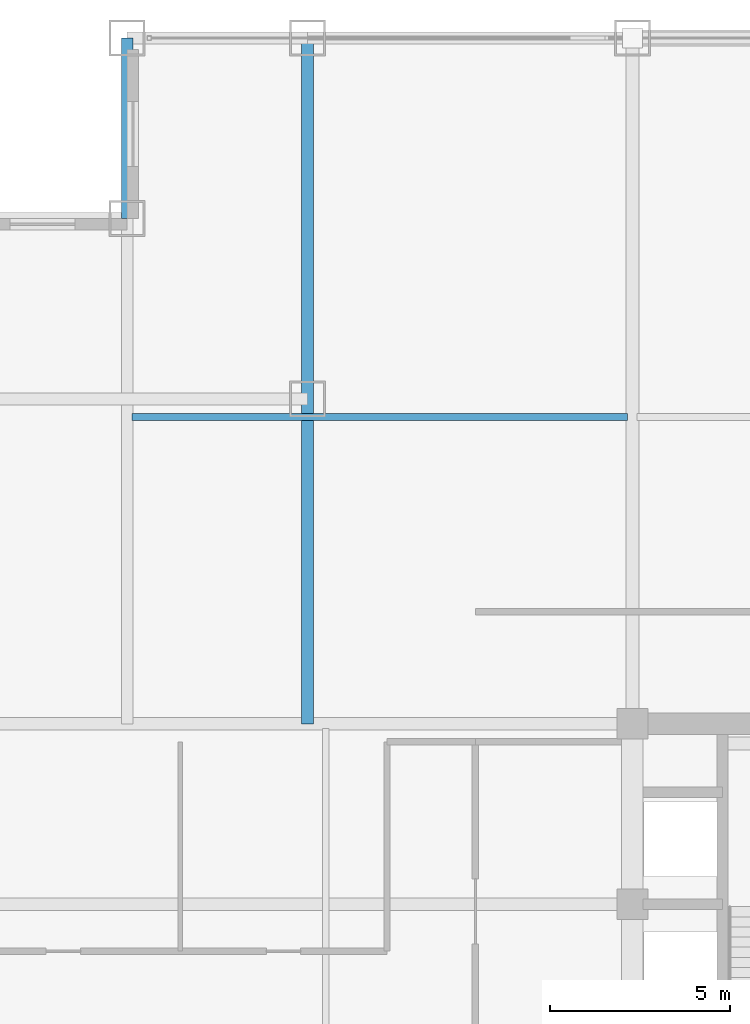
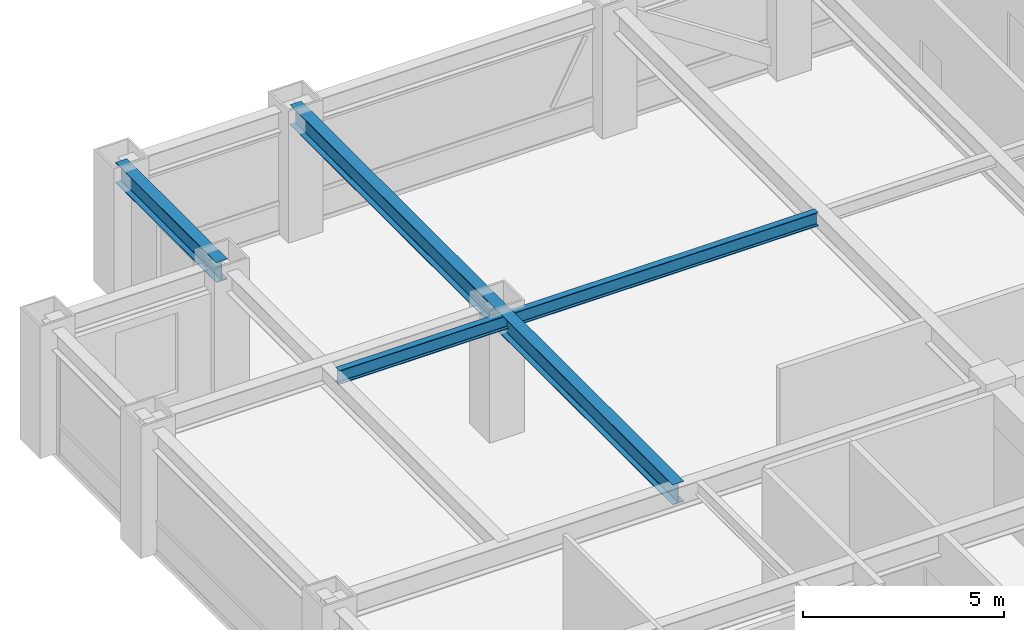
# One storey, part 13 of 25: 3 beams.
"""IFC4 building model written with IfcOpenShell, lengths in metres."""

import ifcopenshell
import ifcopenshell.guid

model = None  # the IFC model being written
_history = None  # IfcOwnerHistory: only IFC2X3 demands one
_inside = {}  # id of a spatial element -> (the spatial element, [elements in it])
_under = {}  # id of a project, library or spatial element -> (it, [spatial elements below it])
_declared = {}  # id of a project -> (the project, [libraries it declares])
_typed = {}  # id of a type object -> (the type object, [elements of that type])
_made_of = {}  # id of a material, layer set ... -> (it, [elements and type objects made of it])


def new_model(schema):
    """Start an empty IFC model of exactly this schema.

    Asked for "IFC4X3", IfcOpenShell would pick the latest addendum, in which some entities
    have other attributes; the version numbers below select the first issue.
    IFC2X3 requires an IfcOwnerHistory on every rooted entity: one is made here for all.
    """
    global model, _history
    if schema == "IFC4X3":
        model = ifcopenshell.file(schema_version=(4, 3, 0, 0))
    else:
        model = ifcopenshell.file(schema=schema)
    _inside.clear()
    _under.clear()
    _declared.clear()
    _typed.clear()
    _made_of.clear()
    _history = None
    if model.schema == "IFC2X3":
        org = make("IfcOrganization", Name="unknown")
        user = make(
            "IfcPersonAndOrganization",
            ThePerson=make("IfcPerson", FamilyName="unknown"),
            TheOrganization=org,
        )
        app = make(
            "IfcApplication",
            ApplicationDeveloper=org,
            Version="unknown",
            ApplicationFullName="unknown",
            ApplicationIdentifier="unknown",
        )
        _history = make(
            "IfcOwnerHistory",
            OwningUser=user,
            OwningApplication=app,
            ChangeAction="ADDED",
            CreationDate=0,
        )
    return model


def make(cls, **values):
    """One entity of the class cls with the attributes given. An attribute that is None is left unset."""
    return model.create_entity(
        cls, **{name: value for name, value in values.items() if value is not None}
    )


def rooted(cls, **values):
    """An entity with a GlobalId (a new one), such as an element, a storey or a relation."""
    return make(cls, GlobalId=ifcopenshell.guid.new(), OwnerHistory=_history, **values)


def si_unit(unit_type, name, prefix=None):
    """IfcSIUnit, for example si_unit("LENGTHUNIT", "METRE", prefix="MILLI")."""
    return make("IfcSIUnit", UnitType=unit_type, Prefix=prefix, Name=name)


def assignment(units):
    """IfcUnitAssignment: the units of a project."""
    return None if units is None else make("IfcUnitAssignment", Units=units)


def point(xyz):
    """IfcCartesianPoint."""
    return None if xyz is None else make("IfcCartesianPoint", Coordinates=xyz)


def direction(xyz):
    """IfcDirection."""
    return None if xyz is None else make("IfcDirection", DirectionRatios=xyz)


def frame(location, z_axis=None, x_axis=None):
    """IfcAxis2Placement3D, a coordinate frame: its origin and axes. An axis left out is left unset."""
    return make(
        "IfcAxis2Placement3D",
        Location=point(location),
        Axis=direction(z_axis),
        RefDirection=direction(x_axis),
    )


def frame_2d(location, x_axis=None):
    """IfcAxis2Placement2D, a coordinate frame in the plane: its origin and x axis."""
    return make(
        "IfcAxis2Placement2D", Location=point(location), RefDirection=direction(x_axis)
    )


def origin():
    """The frame at (0, 0, 0) with its axes left unset."""
    return frame((0.0, 0.0, 0.0))


def origin_2d():
    """The frame at (0, 0) in the plane with its x axis left unset."""
    return frame_2d((0.0, 0.0))


def place(relative_to, where):
    """IfcLocalPlacement: puts the frame where relative to a parent placement (None: the world)."""
    return make(
        "IfcLocalPlacement", PlacementRelTo=relative_to, RelativePlacement=where
    )


def context(
    kind, dimensions, precision=None, world=None, true_north=None, identifier=None
):
    """IfcGeometricRepresentationContext, for example the 3D "Model" context."""
    return make(
        "IfcGeometricRepresentationContext",
        ContextIdentifier=identifier,
        ContextType=kind,
        CoordinateSpaceDimension=dimensions,
        Precision=precision,
        WorldCoordinateSystem=world,
        TrueNorth=true_north,
    )


def subcontext(parent, identifier, kind, view, scale=None):
    """IfcGeometricRepresentationSubContext, for example "Body" below "Model"."""
    return make(
        "IfcGeometricRepresentationSubContext",
        ContextIdentifier=identifier,
        ContextType=kind,
        ParentContext=parent,
        TargetScale=scale,
        TargetView=view,
    )


def project(units=None, contexts=None):
    """IfcProject with its units and contexts."""
    return rooted(
        "IfcProject",
        Name="project",
        RepresentationContexts=contexts,
        UnitsInContext=assignment(units),
    )


def spatial(cls, under=None, at=None, **own):
    """A site, building, storey or space (cls), placed at a placement, below another one or the project."""
    s = rooted(cls, ObjectPlacement=at, **own)
    if under is not None:
        _under.setdefault(under.id(), (under, []))[1].append(s)
    return s


def profile(cls, at=None, kind="AREA", **sizes):
    """A parametric profile (cls). Its sizes go by their IFC names, for example OverallWidth=200.0."""
    return make(cls, ProfileType=kind, Position=at, **sizes)


def i_section(**sizes):
    """IfcIShapeProfileDef."""
    return profile("IfcIShapeProfileDef", **sizes)


def extrude(swept, where, along, depth):
    """IfcExtrudedAreaSolid: the profile swept, set in the frame where, extruded along a direction by depth."""
    return make(
        "IfcExtrudedAreaSolid",
        SweptArea=swept,
        Position=where,
        ExtrudedDirection=direction(along),
        Depth=depth,
    )


def shape(context_of_items, identifier, shape_type, items):
    """IfcShapeRepresentation: the items that make up one representation, for example the "Body"."""
    return make(
        "IfcShapeRepresentation",
        ContextOfItems=context_of_items,
        RepresentationIdentifier=identifier,
        RepresentationType=shape_type,
        Items=items,
    )


def source(mapping_origin, context_of_items, identifier, shape_type, items):
    """IfcRepresentationMap: a shape defined once, which mapped items show again and again."""
    return make(
        "IfcRepresentationMap",
        MappingOrigin=mapping_origin,
        MappedRepresentation=shape(context_of_items, identifier, shape_type, items),
    )


def transform(
    local_origin,
    x_axis=None,
    y_axis=None,
    z_axis=None,
    scale=None,
    scale2=None,
    scale3=None,
    uniform=True,
):
    """IfcCartesianTransformationOperator3D, or its non-uniform kind. x_axis, y_axis, z_axis: its Axis1, 2, 3."""
    if uniform:
        return make(
            "IfcCartesianTransformationOperator3D",
            Axis1=direction(x_axis),
            Axis2=direction(y_axis),
            LocalOrigin=point(local_origin),
            Scale=scale,
            Axis3=direction(z_axis),
        )
    return make(
        "IfcCartesianTransformationOperator3DnonUniform",
        Axis1=direction(x_axis),
        Axis2=direction(y_axis),
        LocalOrigin=point(local_origin),
        Scale=scale,
        Axis3=direction(z_axis),
        Scale2=scale2,
        Scale3=scale3,
    )


def mapped(mapping_source, mapping_target):
    """IfcMappedItem: shows the shape of a source again, moved by a transform."""
    return make(
        "IfcMappedItem", MappingSource=mapping_source, MappingTarget=mapping_target
    )


def material(Name=None, Category=None):
    """IfcMaterial."""
    return make("IfcMaterial", Name=Name, Category=Category)


def material_profile(
    of_material, cross_section, Name=None, Category=None, Priority=None
):
    """IfcMaterialProfile: a cross section and its material."""
    return make(
        "IfcMaterialProfile",
        Name=Name,
        Material=of_material,
        Profile=cross_section,
        Priority=Priority,
        Category=Category,
    )


def profile_set(profiles, Name=None, composite=None):
    """IfcMaterialProfileSet."""
    return make(
        "IfcMaterialProfileSet",
        Name=Name,
        MaterialProfiles=profiles,
        CompositeProfile=composite,
    )


def made_of(thing, what):
    """Note that an element or type object is made of a material, layer set ...; save() writes the relation."""
    if what is not None:
        _made_of.setdefault(what.id(), (what, []))[1].append(thing)
    return thing


def type_object(cls, material=None, **own):
    """A type object (cls), such as IfcWallType, which elements share."""
    return made_of(rooted(cls, **own), material)


def element(
    cls,
    number,
    at=None,
    inside=None,
    cuts=None,
    type_object=None,
    material=None,
    context=None,
    identifier="Body",
    shape_type=None,
    held_by="IfcProductDefinitionShape",
    body=None,
    shapes=None,
    **own,
):
    """One element of the class cls, such as IfcWall. Its Tag is "e" and its number.

    at: its placement. inside: the storey or other place that contains it. cuts: it is an
    opening in that element (IfcRelVoidsElement). A single representation is given by context,
    identifier, shape_type and body (its items); several are given by shapes. held_by: the class
    of the entity that holds the representations. save() writes the other relations.
    """
    e = rooted(cls, Tag="e%d" % number, ObjectPlacement=at, **own)
    if body is not None:
        shapes = [shape(context, identifier, shape_type, body)]
    if shapes is not None:
        e.Representation = make(held_by, Representations=shapes)
    if inside is not None:
        _inside.setdefault(inside.id(), (inside, []))[1].append(e)
    if cuts is not None:
        rooted(
            "IfcRelVoidsElement", RelatingBuildingElement=cuts, RelatedOpeningElement=e
        )
    if type_object is not None:
        _typed.setdefault(type_object.id(), (type_object, []))[1].append(e)
    return made_of(e, material)


def aggregate(whole, parts):
    """IfcRelAggregates: a whole, such as a stair, and the parts it consists of."""
    return rooted("IfcRelAggregates", RelatingObject=whole, RelatedObjects=parts)


def save(model, path):
    """Write the relations noted so far, then the file.

    IfcRelAggregates (storeys below a building ...), IfcRelContainedInSpatialStructure (elements
    in a storey), IfcRelDefinesByType, IfcRelAssociatesMaterial and IfcRelDeclares: one each for
    every whole, place, type object, material and project.
    """
    for whole, parts in _under.values():
        aggregate(whole, parts)
    for where, things in _inside.values():
        rooted(
            "IfcRelContainedInSpatialStructure",
            RelatedElements=things,
            RelatingStructure=where,
        )
    for kind, things in _typed.values():
        rooted("IfcRelDefinesByType", RelatedObjects=things, RelatingType=kind)
    for what, things in _made_of.values():
        rooted("IfcRelAssociatesMaterial", RelatedObjects=things, RelatingMaterial=what)
    for by, libraries in _declared.values():
        rooted("IfcRelDeclares", RelatingContext=by, RelatedDefinitions=libraries)
    model.write(path)


model = new_model("IFC4")

# Units and contexts
model_context = context("Model", 3, precision=1e-05, world=origin(), true_north=direction((0.0, 1.0)))
body_context = subcontext(model_context, "Body", "Model", "MODEL_VIEW")
ifc_project = project(units=[si_unit("LENGTHUNIT", "METRE"), si_unit("AREAUNIT", "SQUARE_METRE"), si_unit("VOLUMEUNIT", "CUBIC_METRE"), si_unit("PLANEANGLEUNIT", "RADIAN"), si_unit("MASSUNIT", "GRAM", prefix="KILO")], contexts=[model_context])

# Site, building, storey
site_placement = place(None, origin())
site = spatial("IfcSite", under=ifc_project, at=site_placement, CompositionType="ELEMENT")
building_placement = place(site_placement, origin())
building = spatial("IfcBuilding", under=site, at=building_placement, Name="Khorayat Bourse Tower", CompositionType="ELEMENT")
storey_placement = place(building_placement, frame((0.0, 0.0, 247.10009765625)))
storey = spatial("IfcBuildingStorey", under=building, at=storey_placement, Name="L58", CompositionType="ELEMENT", Elevation=247.10009765625)

# Beams
ifc_material = material(Name="Steel ASTM A992 Grade 50", Category="steel")
ifc_material_profile_1 = material_profile(ifc_material, i_section(OverallWidth=0.324951171875, OverallDepth=0.615966796875, WebThickness=0.013916015625, FlangeThickness=0.021484375, FilletRadius=0.01611328125, at=origin_2d()), Name="W610X174")
ifc_profile_set_1 = profile_set([ifc_material_profile_1], Name="Steel ASTM A992 Grade 50")
beam_type_1 = type_object("IfcBeamType", Name="BM-GIRD-610", PredefinedType="BEAM", material=ifc_profile_set_1)
shared_shape_1 = source(origin(), body_context, "Body", "SweptSolid", [
    extrude(i_section(OverallWidth=0.324951171875, OverallDepth=0.615966796875, WebThickness=0.013916015625, FlangeThickness=0.021484375, FilletRadius=0.01611328125, at=origin_2d()), origin(), (0.0, 0.0, 1.0), 19.0),
])
beam_1_placement = place(storey_placement, frame((-20.0, 11.0, 3.471923828125), z_axis=(0.0, 1.0, 0.0), x_axis=(-1.0, 0.0, 0.0)))
element("IfcBeam", 1, at=beam_1_placement, inside=storey, type_object=beam_type_1, Name="L58 BM-GIRD-610 BM-L58-CNRY-085", PredefinedType="BEAM", context=body_context, shape_type="MappedRepresentation", body=[
    mapped(shared_shape_1, transform((0.0, 0.0, 0.0), scale=1.0)),
])
ifc_material_profile_2 = material_profile(ifc_material, i_section(OverallWidth=0.324951171875, OverallDepth=0.615966796875, WebThickness=0.013916015625, FlangeThickness=0.021484375, FilletRadius=0.01611328125, at=origin_2d()), Name="W610X174")
ifc_profile_set_2 = profile_set([ifc_material_profile_2], Name="Steel ASTM A992 Grade 50")
beam_type_2 = type_object("IfcBeamType", Name="BM-SPAN-610", PredefinedType="SPANDREL", material=ifc_profile_set_2)
shared_shape_2 = source(origin(), body_context, "Body", "SweptSolid", [
    extrude(i_section(OverallWidth=0.324951171875, OverallDepth=0.615966796875, WebThickness=0.013916015625, FlangeThickness=0.021484375, FilletRadius=0.01611328125, at=origin_2d()), origin(), (0.0, 0.0, 1.0), 5.0),
])
beam_2_placement = place(storey_placement, frame((-25.0, 25.0, 3.471923828125), z_axis=(0.0, 1.0, 0.0), x_axis=(-1.0, 0.0, 0.0)))
element("IfcBeam", 2, at=beam_2_placement, inside=storey, type_object=beam_type_2, Name="L58 BM-SPAN-610 BM-L58-SPN-052", PredefinedType="SPANDREL", context=body_context, shape_type="MappedRepresentation", body=[
    mapped(shared_shape_2, transform((0.0, 0.0, 0.0), scale=1.0)),
])
ifc_material_profile_3 = material_profile(ifc_material, i_section(OverallWidth=0.180908203125, OverallDepth=0.4169921875, WebThickness=0.010986328125, FlangeThickness=0.018310546875, FilletRadius=0.011962890625, at=origin_2d()), Name="W410X85")
ifc_profile_set_3 = profile_set([ifc_material_profile_3], Name="Steel ASTM A992 Grade 50")
beam_type_3 = type_object("IfcBeamType", Name="BM-JOIST-410", PredefinedType="JOIST", material=ifc_profile_set_3)
shared_shape_3 = source(origin(), body_context, "Body", "SweptSolid", [
    extrude(i_section(OverallWidth=0.180908203125, OverallDepth=0.4169921875, WebThickness=0.010986328125, FlangeThickness=0.018310546875, FilletRadius=0.011962890625, at=origin_2d()), origin(), (0.0, 0.0, 1.0), 13.740234375),
])
beam_3_placement = place(storey_placement, frame((-24.8701171875, 19.5, 3.5712890625), z_axis=(1.0, 0.0, 0.0), x_axis=(0.0, 1.0, 0.0)))
element("IfcBeam", 3, at=beam_3_placement, inside=storey, type_object=beam_type_3, Name="L58 BM-JOIST-410 BM-L58-JSTX-099", PredefinedType="JOIST", context=body_context, shape_type="MappedRepresentation", body=[
    mapped(shared_shape_3, transform((0.0, 0.0, 0.0), scale=1.0)),
])

save(model, "model.ifc")
